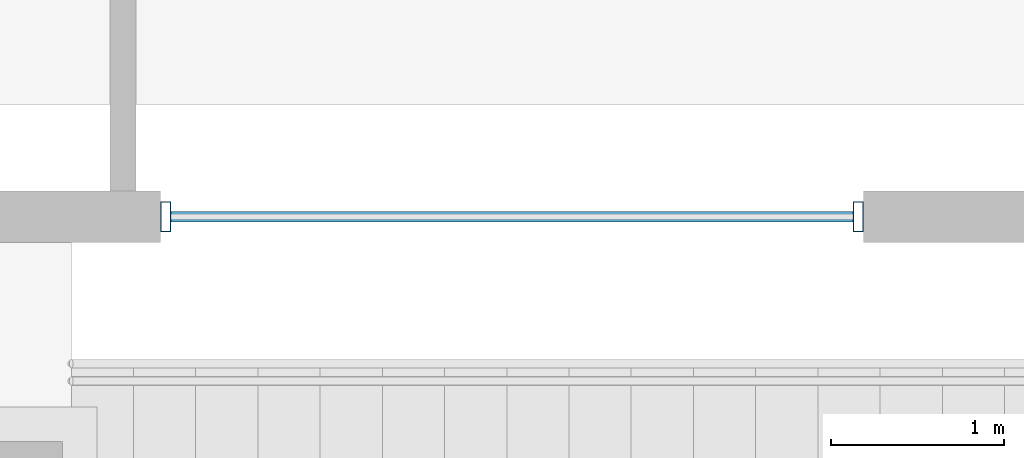
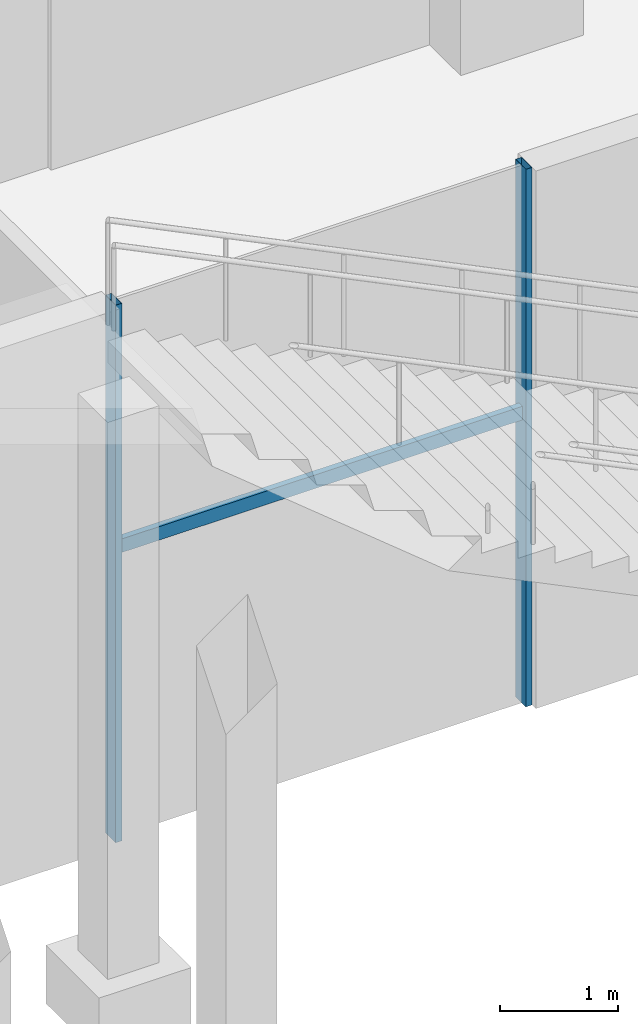
# One storey, part 10 of 68: 3 members, 1 element without a shape of its own.
"""IFC4 building model written with IfcOpenShell, lengths in metres."""

from ifc_helpers import new_model, si_unit, direction, frame, origin, origin_2d, place, context, subcontext, project, spatial, hollow_rectangle, extrude, material, material_profile, profile_set, type_object, element, aggregate, save


model = new_model("IFC4")

# Units and contexts
model_context = context("Model", 3, precision=1e-05, world=origin(), true_north=direction((0.0, 1.0)))
body_context = subcontext(model_context, "Body", "Model", "MODEL_VIEW")
ifc_project = project(units=[si_unit("LENGTHUNIT", "METRE"), si_unit("AREAUNIT", "SQUARE_METRE"), si_unit("VOLUMEUNIT", "CUBIC_METRE"), si_unit("PLANEANGLEUNIT", "RADIAN"), si_unit("MASSUNIT", "GRAM", prefix="KILO")], contexts=[model_context])

# Site, building, storey
site_placement = place(None, origin())
site = spatial("IfcSite", under=ifc_project, at=site_placement, CompositionType="ELEMENT")
building_placement = place(site_placement, origin())
building = spatial("IfcBuilding", under=site, at=building_placement, Name="Altepetl Exchange Towers", CompositionType="ELEMENT")
storey_placement = place(building_placement, origin())
storey = spatial("IfcBuildingStorey", under=building, at=storey_placement, Name="L00 Ground concourse", CompositionType="ELEMENT", Elevation=0.0)

# Curtain wall, members
ifc_material_1 = material(Name="Aluminium 6063-T6 glazing", Category="aluminium")
curtain_wall_type = type_object("IfcCurtainWallType", Name="Podium storefront system", PredefinedType="NOTDEFINED", material=ifc_material_1)
curtain_wall_placement = place(storey_placement, origin())
curtain_wall = element("IfcCurtainWall", 1, at=curtain_wall_placement, inside=storey, type_object=curtain_wall_type, Name="CW5 run", PredefinedType="NOTDEFINED")
ifc_material_2 = material(Name="Aluminium 6063-T6", Category="aluminium")
ifc_material_profile_1 = material_profile(ifc_material_2, hollow_rectangle(XDim=0.06005859375, YDim=0.175048828125, WallThickness=0.0029296875, at=origin_2d()), Name="Mullion 60x175 aluminium")
ifc_profile_set_1 = profile_set([ifc_material_profile_1], Name="Aluminium 6063-T6")
member_type_1 = type_object("IfcMemberType", Name="Mullion 60x175 aluminium", PredefinedType="MULLION", material=ifc_profile_set_1)
member_1_placement = place(storey_placement, frame((108.24658203125, 0.14990234375, 0.0)))
member_1 = element("IfcMember", 2, at=member_1_placement, type_object=member_type_1, Name="MU4 mullion", PredefinedType="MULLION", context=body_context, shape_type="SweptSolid", body=[
    extrude(hollow_rectangle(XDim=0.06005859375, YDim=0.175048828125, WallThickness=0.0029296875, at=origin_2d()), origin(), (0.0, 0.0, 1.0), 5.550048828125),
])
member_2_placement = place(storey_placement, frame((112.25341796875, 0.14990234375, 0.0)))
member_2 = element("IfcMember", 3, at=member_2_placement, type_object=member_type_1, Name="MU4 mullion", PredefinedType="MULLION", context=body_context, shape_type="SweptSolid", body=[
    extrude(hollow_rectangle(XDim=0.06005859375, YDim=0.175048828125, WallThickness=0.0029296875, at=origin_2d()), origin(), (0.0, 0.0, 1.0), 5.550048828125),
])
ifc_material_profile_2 = material_profile(ifc_material_2, hollow_rectangle(XDim=0.06005859375, YDim=0.139892578125, WallThickness=0.0029296875, at=origin_2d()), Name="Transom 60x140 aluminium")
ifc_profile_set_2 = profile_set([ifc_material_profile_2], Name="Aluminium 6063-T6")
member_type_2 = type_object("IfcMemberType", Name="Transom 60x140 aluminium", PredefinedType="USERDEFINED", material=ifc_profile_set_2)
member_3_placement = place(storey_placement, frame((108.276611328125, 0.14990234375, 3.0), z_axis=(1.0, 0.0, 0.0), x_axis=(0.0, 1.0, 0.0)))
member_3 = element("IfcMember", 4, at=member_3_placement, type_object=member_type_2, Name="TR3 transom", ObjectType="TRANSOM", PredefinedType="USERDEFINED", context=body_context, shape_type="SweptSolid", body=[
    extrude(hollow_rectangle(XDim=0.06005859375, YDim=0.139892578125, WallThickness=0.0029296875, at=origin_2d()), origin(), (0.0, 0.0, 1.0), 3.94677734375),
])
aggregate(curtain_wall, [member_1, member_2, member_3])

save(model, "model.ifc")
